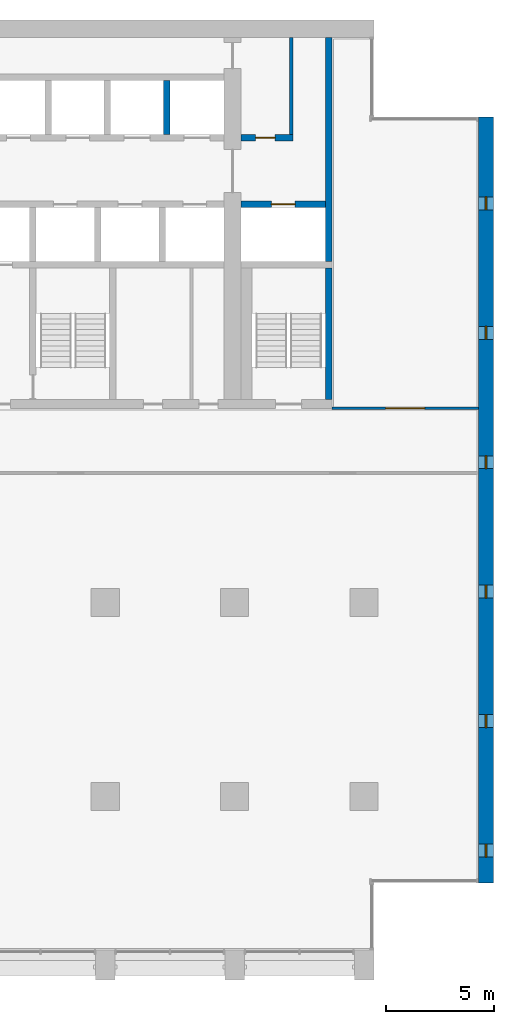
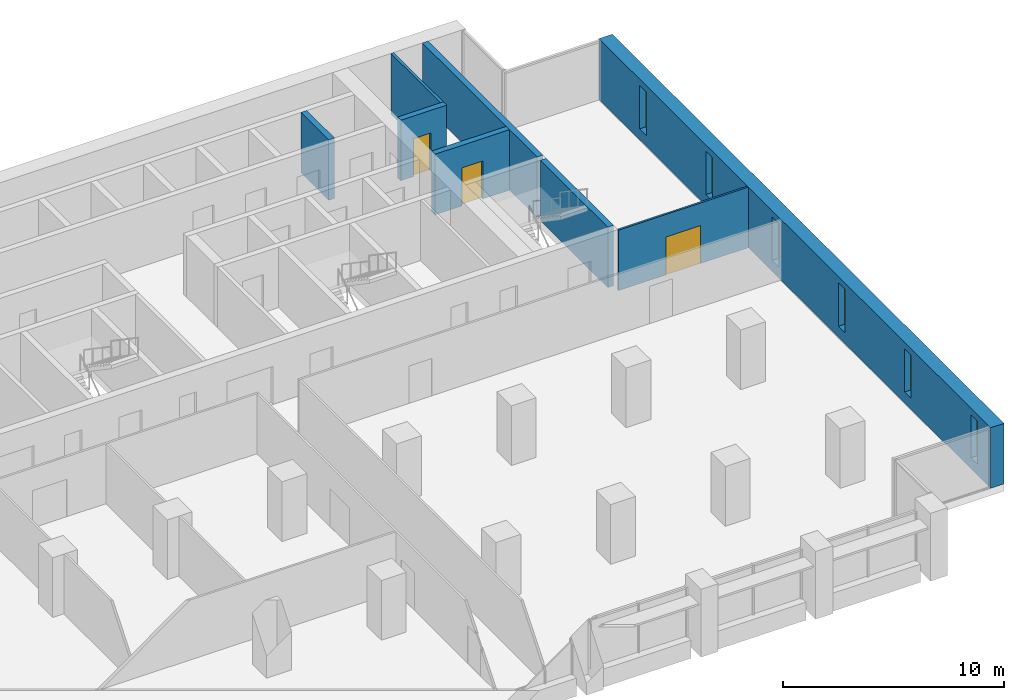
# One storey, part 11 of 15: 8 walls, 6 windows, 3 doors, 9 openings.
"""IFC4 building model written with IfcOpenShell, lengths in metres."""

from ifc_helpers import new_model, si_unit, direction, frame, frame_2d, origin, place, context, subcontext, project, spatial, rectangle, extrude, material, layer, layer_set, type_object, element, fill, save


model = new_model("IFC4")

# Units and contexts
model_context = context("Model", 3, precision=1e-05, world=origin(), true_north=direction((0.0, 1.0)))
body_context = subcontext(model_context, "Body", "Model", "MODEL_VIEW")
ifc_project = project(units=[si_unit("LENGTHUNIT", "METRE"), si_unit("AREAUNIT", "SQUARE_METRE"), si_unit("VOLUMEUNIT", "CUBIC_METRE"), si_unit("PLANEANGLEUNIT", "RADIAN"), si_unit("MASSUNIT", "GRAM", prefix="KILO")], contexts=[model_context])

# Site, building, storey
site_placement = place(None, origin())
site = spatial("IfcSite", under=ifc_project, at=site_placement, CompositionType="ELEMENT")
building_placement = place(site_placement, origin())
building = spatial("IfcBuilding", under=site, at=building_placement, Name="Calvaro Tower", CompositionType="ELEMENT")
storey_placement = place(building_placement, frame((0.0, 0.0, 125.0)))
storey = spatial("IfcBuildingStorey", under=building, at=storey_placement, Name="L31", CompositionType="ELEMENT", Elevation=125.0)

# Wall
ifc_material_1 = material(Name="Blockwork partition", Category="masonry")
ifc_layer_1 = layer(ifc_material_1, 0.14990234375)
ifc_layer_set_1 = layer_set([ifc_layer_1], Name="Blockwork partition")
wall_type_1 = type_object("IfcWallType", Name="Core partition 150 REI 120", PredefinedType="PARTITIONING", material=ifc_layer_set_1)
wall_1_placement = place(storey_placement, frame((62.625, 40.699951171875, 0.0), z_axis=(0.0, 0.0, 1.0), x_axis=(0.0, 1.0, 0.0)))
element("IfcWall", 1, at=wall_1_placement, inside=storey, type_object=wall_type_1, Name="Core partition", PredefinedType="PARTITIONING", context=body_context, shape_type="SweptSolid", body=[
    extrude(rectangle(XDim=4.5, YDim=0.14990234375, at=frame_2d((2.25, 0.0))), origin(), (0.0, 0.0, 1.0), 3.35009765625),
])

# Wall, opening, door
ifc_material_2 = material(Name="Blockwork partition", Category="masonry")
ifc_layer_2 = layer(ifc_material_2, 0.300048828125)
ifc_layer_set_2 = layer_set([ifc_layer_2], Name="Blockwork partition")
wall_type_2 = type_object("IfcWallType", Name="Core partition 300 REI 120", PredefinedType="PARTITIONING", material=ifc_layer_set_2)
wall_2_placement = place(storey_placement, frame((60.300048828125, 40.550048828125, 0.0), z_axis=(0.0, 0.0, 1.0), x_axis=(1.0, 0.0, 0.0)))
wall_2 = element("IfcWall", 2, at=wall_2_placement, inside=storey, type_object=wall_type_2, Name="Core partition", PredefinedType="PARTITIONING", context=body_context, shape_type="SweptSolid", body=[
    extrude(rectangle(XDim=2.39990234375, YDim=0.300048828125, at=frame_2d((1.199951171875, 0.0))), origin(), (0.0, 0.0, 1.0), 3.35009765625),
])
opening_1_placement = place(wall_2_placement, frame((0.675048828125, 0.0, 0.0)))
opening_1 = element("IfcOpeningElement", 3, at=opening_1_placement, cuts=wall_2, Name="Opening RD9E", PredefinedType="OPENING", context=body_context, shape_type="SweptSolid", body=[
    extrude(rectangle(XDim=0.89990234375, YDim=2.10009765625, at=frame_2d((0.449951171875, 1.050048828125))), frame((0.0, 0.159912109375, 0.0), z_axis=(0.0, -1.0, 0.0), x_axis=(1.0, 0.0, 0.0)), (0.0, 0.0, 1.0), 0.320068359375),
])
ifc_material_3 = material(Name="Steel door set", Category="steel")
door_type_1 = type_object("IfcDoorType", Name="Room door 900 FD60", OperationType="SINGLE_SWING_LEFT", PredefinedType="DOOR", material=ifc_material_3)
door_1_placement = place(opening_1_placement, origin())
door_1 = element("IfcDoor", 4, at=door_1_placement, inside=storey, type_object=door_type_1, Name="Room door", OperationType="SINGLE_SWING_LEFT", OverallHeight=2.10009765625, OverallWidth=0.89990234375, PredefinedType="DOOR", context=body_context, shape_type="SweptSolid", body=[
    extrude(rectangle(XDim=0.89990234375, YDim=2.10009765625, at=frame_2d((0.449951171875, 1.050048828125))), frame((0.0, 0.02490234375, 0.0), z_axis=(0.0, -1.0, 0.0), x_axis=(1.0, 0.0, 0.0)), (0.0, 0.0, 1.0), 0.050048828125),
])
fill(opening_1, door_1)

# Walls
ifc_material_4 = material(Name="Concrete C60/75", Category="concrete")
ifc_layer_3 = layer(ifc_material_4, 0.300048828125)
ifc_layer_set_3 = layer_set([ifc_layer_3], Name="Concrete C60/75")
wall_type_3 = type_object("IfcWallType", Name="Core wall C60/75 300", PredefinedType="SHEAR", material=ifc_layer_set_3)
wall_3_placement = place(storey_placement, frame((64.35009765625, 34.800048828125, 0.0), z_axis=(0.0, 0.0, 1.0), x_axis=(0.0, 1.0, 0.0)))
element("IfcWall", 5, at=wall_3_placement, inside=storey, type_object=wall_type_3, Name="Core wall, boundary", PredefinedType="SHEAR", context=body_context, shape_type="SweptSolid", body=[
    extrude(rectangle(XDim=10.39990234375, YDim=0.300048828125, at=frame_2d((5.199951171875, 0.0))), origin(), (0.0, 0.0, 1.0), 3.35009765625),
])
wall_4_placement = place(storey_placement, frame((64.35009765625, 28.39990234375, 0.0), z_axis=(0.0, 0.0, 1.0), x_axis=(0.0, 1.0, 0.0)))
element("IfcWall", 6, at=wall_4_placement, inside=storey, type_object=wall_type_3, Name="Core wall, stair enclosure", PredefinedType="SHEAR", context=body_context, shape_type="SweptSolid", body=[
    extrude(rectangle(XDim=6.10009765625, YDim=0.300048828125, at=frame_2d((3.050048828125, 0.0))), origin(), (0.0, 0.0, 1.0), 3.35009765625),
])

# Wall, opening, door
wall_5_placement = place(storey_placement, frame((60.300048828125, 37.449951171875, 0.0), z_axis=(0.0, 0.0, 1.0), x_axis=(1.0, 0.0, 0.0)))
wall_5 = element("IfcWall", 7, at=wall_5_placement, inside=storey, type_object=wall_type_3, Name="Core wall, lift shaft", PredefinedType="SHEAR", context=body_context, shape_type="SweptSolid", body=[
    extrude(rectangle(XDim=3.89990234375, YDim=0.300048828125, at=frame_2d((1.949951171875, 0.0))), origin(), (0.0, 0.0, 1.0), 3.35009765625),
])
opening_2_placement = place(wall_5_placement, frame((1.39990234375, 0.0, 0.0)))
opening_2 = element("IfcOpeningElement", 8, at=opening_2_placement, cuts=wall_5, Name="Opening FF3", PredefinedType="OPENING", context=body_context, shape_type="SweptSolid", body=[
    extrude(rectangle(XDim=1.10009765625, YDim=2.10009765625, at=frame_2d((0.550048828125, 1.050048828125))), frame((0.0, 0.159912109375, 0.0), z_axis=(0.0, -1.0, 0.0), x_axis=(1.0, 0.0, 0.0)), (0.0, 0.0, 1.0), 0.320068359375),
])
ifc_material_5 = material(Name="Stainless steel", Category="steel")
door_type_2 = type_object("IfcDoorType", Name="Landing door 1100 E 60", OperationType="SLIDING_TO_LEFT", PredefinedType="DOOR", material=ifc_material_5)
door_2_placement = place(opening_2_placement, origin())
door_2 = element("IfcDoor", 9, at=door_2_placement, inside=storey, type_object=door_type_2, Name="Landing door FF3", OperationType="SLIDING_TO_LEFT", OverallHeight=2.10009765625, OverallWidth=1.10009765625, PredefinedType="DOOR", context=body_context, shape_type="SweptSolid", body=[
    extrude(rectangle(XDim=1.10009765625, YDim=2.10009765625, at=frame_2d((0.550048828125, 1.050048828125))), frame((0.0, 0.02490234375, 0.0), z_axis=(0.0, -1.0, 0.0), x_axis=(1.0, 0.0, 0.0)), (0.0, 0.0, 1.0), 0.050048828125),
])
fill(opening_2, door_2)

# Wall
wall_6_placement = place(storey_placement, frame((56.85009765625, 40.699951171875, 0.0), z_axis=(0.0, 0.0, 1.0), x_axis=(0.0, 1.0, 0.0)))
element("IfcWall", 10, at=wall_6_placement, inside=storey, type_object=wall_type_3, Name="Core wall, lift shaft", PredefinedType="SHEAR", context=body_context, shape_type="SweptSolid", body=[
    extrude(rectangle(XDim=2.5, YDim=0.300048828125, at=frame_2d((1.25, 0.0))), origin(), (0.0, 0.0, 1.0), 3.35009765625),
])

# Wall, openings, windows
ifc_material_6 = material(Name="Concrete C60/75", Category="concrete")
ifc_layer_4 = layer(ifc_material_6, 0.699951171875)
ifc_layer_set_4 = layer_set([ifc_layer_4], Name="Concrete C60/75")
wall_type_4 = type_object("IfcWallType", Name="End wall 700 C60/75", PredefinedType="SHEAR", material=ifc_layer_set_4)
wall_7_placement = place(storey_placement, frame((71.64990234375, 6.0, 0.0), z_axis=(0.0, 0.0, 1.0), x_axis=(0.0, 1.0, 0.0)))
wall_7 = element("IfcWall", 11, at=wall_7_placement, inside=storey, type_object=wall_type_4, Name="End shear wall", PredefinedType="SHEAR", context=body_context, shape_type="SweptSolid", body=[
    extrude(rectangle(XDim=35.5, YDim=0.699951171875, at=frame_2d((17.75, 0.0))), origin(), (0.0, 0.0, 1.0), 3.35009765625),
])
opening_3_placement = place(wall_7_placement, frame((1.199951171875, 0.0, 0.60009765625)))
opening_3 = element("IfcOpeningElement", 12, at=opening_3_placement, cuts=wall_7, Name="Opening WE01", PredefinedType="OPENING", context=body_context, shape_type="SweptSolid", body=[
    extrude(rectangle(XDim=0.60009765625, YDim=2.39990234375, at=frame_2d((0.300048828125, 1.199951171875))), frame((0.0, 0.35986328125, 0.0), z_axis=(0.0, -1.0, 0.0), x_axis=(1.0, 0.0, 0.0)), (0.0, 0.0, 1.0), 0.719970703125),
])
opening_4_placement = place(wall_7_placement, frame((7.199951171875, 0.0, 0.60009765625)))
opening_4 = element("IfcOpeningElement", 13, at=opening_4_placement, cuts=wall_7, Name="Opening WE02", PredefinedType="OPENING", context=body_context, shape_type="SweptSolid", body=[
    extrude(rectangle(XDim=0.60009765625, YDim=2.39990234375, at=frame_2d((0.300048828125, 1.199951171875))), frame((0.0, 0.35986328125, 0.0), z_axis=(0.0, -1.0, 0.0), x_axis=(1.0, 0.0, 0.0)), (0.0, 0.0, 1.0), 0.719970703125),
])
opening_5_placement = place(wall_7_placement, frame((13.199951171875, 0.0, 0.60009765625)))
opening_5 = element("IfcOpeningElement", 14, at=opening_5_placement, cuts=wall_7, Name="Opening WE03", PredefinedType="OPENING", context=body_context, shape_type="SweptSolid", body=[
    extrude(rectangle(XDim=0.60009765625, YDim=2.39990234375, at=frame_2d((0.300048828125, 1.199951171875))), frame((0.0, 0.35986328125, 0.0), z_axis=(0.0, -1.0, 0.0), x_axis=(1.0, 0.0, 0.0)), (0.0, 0.0, 1.0), 0.719970703125),
])
opening_6_placement = place(wall_7_placement, frame((19.199951171875, 0.0, 0.60009765625)))
opening_6 = element("IfcOpeningElement", 15, at=opening_6_placement, cuts=wall_7, Name="Opening WE04", PredefinedType="OPENING", context=body_context, shape_type="SweptSolid", body=[
    extrude(rectangle(XDim=0.60009765625, YDim=2.39990234375, at=frame_2d((0.300048828125, 1.199951171875))), frame((0.0, 0.35986328125, 0.0), z_axis=(0.0, -1.0, 0.0), x_axis=(1.0, 0.0, 0.0)), (0.0, 0.0, 1.0), 0.719970703125),
])
opening_7_placement = place(wall_7_placement, frame((25.199951171875, 0.0, 0.60009765625)))
opening_7 = element("IfcOpeningElement", 16, at=opening_7_placement, cuts=wall_7, Name="Opening WE05", PredefinedType="OPENING", context=body_context, shape_type="SweptSolid", body=[
    extrude(rectangle(XDim=0.60009765625, YDim=2.39990234375, at=frame_2d((0.300048828125, 1.199951171875))), frame((0.0, 0.35986328125, 0.0), z_axis=(0.0, -1.0, 0.0), x_axis=(1.0, 0.0, 0.0)), (0.0, 0.0, 1.0), 0.719970703125),
])
opening_8_placement = place(wall_7_placement, frame((31.199951171875, 0.0, 0.60009765625)))
opening_8 = element("IfcOpeningElement", 17, at=opening_8_placement, cuts=wall_7, Name="Opening WE06", PredefinedType="OPENING", context=body_context, shape_type="SweptSolid", body=[
    extrude(rectangle(XDim=0.60009765625, YDim=2.39990234375, at=frame_2d((0.300048828125, 1.199951171875))), frame((0.0, 0.35986328125, 0.0), z_axis=(0.0, -1.0, 0.0), x_axis=(1.0, 0.0, 0.0)), (0.0, 0.0, 1.0), 0.719970703125),
])
ifc_material_7 = material(Name="Glass", Category="glass")
window_type = type_object("IfcWindowType", Name="Slit window 600 x 2400", PartitioningType="SINGLE_PANEL", PredefinedType="WINDOW", material=ifc_material_7)
window_1_placement = place(opening_3_placement, origin())
window_1 = element("IfcWindow", 18, at=window_1_placement, inside=storey, type_object=window_type, Name="Window WE01", OverallHeight=2.39990234375, OverallWidth=0.60009765625, PartitioningType="SINGLE_PANEL", PredefinedType="WINDOW", context=body_context, shape_type="SweptSolid", body=[
    extrude(rectangle(XDim=0.60009765625, YDim=2.39990234375, at=frame_2d((0.300048828125, 1.199951171875))), frame((0.0, 0.030029296875, 0.0), z_axis=(0.0, -1.0, 0.0), x_axis=(1.0, 0.0, 0.0)), (0.0, 0.0, 1.0), 0.06005859375),
])
fill(opening_3, window_1)
window_2_placement = place(opening_4_placement, origin())
window_2 = element("IfcWindow", 19, at=window_2_placement, inside=storey, type_object=window_type, Name="Window WE02", OverallHeight=2.39990234375, OverallWidth=0.60009765625, PartitioningType="SINGLE_PANEL", PredefinedType="WINDOW", context=body_context, shape_type="SweptSolid", body=[
    extrude(rectangle(XDim=0.60009765625, YDim=2.39990234375, at=frame_2d((0.300048828125, 1.199951171875))), frame((0.0, 0.030029296875, 0.0), z_axis=(0.0, -1.0, 0.0), x_axis=(1.0, 0.0, 0.0)), (0.0, 0.0, 1.0), 0.06005859375),
])
fill(opening_4, window_2)
window_3_placement = place(opening_5_placement, origin())
window_3 = element("IfcWindow", 20, at=window_3_placement, inside=storey, type_object=window_type, Name="Window WE03", OverallHeight=2.39990234375, OverallWidth=0.60009765625, PartitioningType="SINGLE_PANEL", PredefinedType="WINDOW", context=body_context, shape_type="SweptSolid", body=[
    extrude(rectangle(XDim=0.60009765625, YDim=2.39990234375, at=frame_2d((0.300048828125, 1.199951171875))), frame((0.0, 0.030029296875, 0.0), z_axis=(0.0, -1.0, 0.0), x_axis=(1.0, 0.0, 0.0)), (0.0, 0.0, 1.0), 0.06005859375),
])
fill(opening_5, window_3)
window_4_placement = place(opening_6_placement, origin())
window_4 = element("IfcWindow", 21, at=window_4_placement, inside=storey, type_object=window_type, Name="Window WE04", OverallHeight=2.39990234375, OverallWidth=0.60009765625, PartitioningType="SINGLE_PANEL", PredefinedType="WINDOW", context=body_context, shape_type="SweptSolid", body=[
    extrude(rectangle(XDim=0.60009765625, YDim=2.39990234375, at=frame_2d((0.300048828125, 1.199951171875))), frame((0.0, 0.030029296875, 0.0), z_axis=(0.0, -1.0, 0.0), x_axis=(1.0, 0.0, 0.0)), (0.0, 0.0, 1.0), 0.06005859375),
])
fill(opening_6, window_4)
window_5_placement = place(opening_7_placement, origin())
window_5 = element("IfcWindow", 22, at=window_5_placement, inside=storey, type_object=window_type, Name="Window WE05", OverallHeight=2.39990234375, OverallWidth=0.60009765625, PartitioningType="SINGLE_PANEL", PredefinedType="WINDOW", context=body_context, shape_type="SweptSolid", body=[
    extrude(rectangle(XDim=0.60009765625, YDim=2.39990234375, at=frame_2d((0.300048828125, 1.199951171875))), frame((0.0, 0.030029296875, 0.0), z_axis=(0.0, -1.0, 0.0), x_axis=(1.0, 0.0, 0.0)), (0.0, 0.0, 1.0), 0.06005859375),
])
fill(opening_7, window_5)
window_6_placement = place(opening_8_placement, origin())
window_6 = element("IfcWindow", 23, at=window_6_placement, inside=storey, type_object=window_type, Name="Window WE06", OverallHeight=2.39990234375, OverallWidth=0.60009765625, PartitioningType="SINGLE_PANEL", PredefinedType="WINDOW", context=body_context, shape_type="SweptSolid", body=[
    extrude(rectangle(XDim=0.60009765625, YDim=2.39990234375, at=frame_2d((0.300048828125, 1.199951171875))), frame((0.0, 0.030029296875, 0.0), z_axis=(0.0, -1.0, 0.0), x_axis=(1.0, 0.0, 0.0)), (0.0, 0.0, 1.0), 0.06005859375),
])
fill(opening_8, window_6)

# Wall, opening, door
ifc_material_8 = material(Name="Plasterboard on steel studs", Category="steel")
ifc_layer_5 = layer(ifc_material_8, 0.10009765625)
ifc_layer_set_5 = layer_set([ifc_layer_5], Name="Plasterboard on steel studs")
wall_type_5 = type_object("IfcWallType", Name="Partition 100", PredefinedType="PARTITIONING", material=ifc_layer_set_5)
wall_8_placement = place(storey_placement, frame((64.5, 28.0, 0.0), z_axis=(0.0, 0.0, 1.0), x_axis=(1.0, 0.0, 0.0)))
wall_8 = element("IfcWall", 24, at=wall_8_placement, inside=storey, type_object=wall_type_5, Name="Partition T19.W008", PredefinedType="PARTITIONING", context=body_context, shape_type="SweptSolid", body=[
    extrude(rectangle(XDim=6.800048828125, YDim=0.10009765625, at=frame_2d((3.39990234375, 0.0))), origin(), (0.0, 0.0, 1.0), 3.35009765625),
])
opening_9_placement = place(wall_8_placement, frame((2.5, 0.0, 0.0)))
opening_9 = element("IfcOpeningElement", 25, at=opening_9_placement, cuts=wall_8, Name="Opening T19.013", PredefinedType="OPENING", context=body_context, shape_type="SweptSolid", body=[
    extrude(rectangle(XDim=1.800048828125, YDim=2.10009765625, at=frame_2d((0.89990234375, 1.050048828125))), frame((0.0, 0.06005859375, 0.0), z_axis=(0.0, -1.0, 0.0), x_axis=(1.0, 0.0, 0.0)), (0.0, 0.0, 1.0), 0.1201171875),
])
ifc_material_9 = material(Name="Timber", Category="wood")
door_type_3 = type_object("IfcDoorType", Name="Internal double door 1800 x 2100", OperationType="DOUBLE_DOOR_SINGLE_SWING", PredefinedType="DOOR", material=ifc_material_9)
door_3_placement = place(opening_9_placement, origin())
door_3 = element("IfcDoor", 26, at=door_3_placement, inside=storey, type_object=door_type_3, Name="Door T19.013", OperationType="DOUBLE_DOOR_SINGLE_SWING", OverallHeight=2.10009765625, OverallWidth=1.800048828125, PredefinedType="DOOR", context=body_context, shape_type="SweptSolid", body=[
    extrude(rectangle(XDim=1.800048828125, YDim=2.10009765625, at=frame_2d((0.89990234375, 1.050048828125))), frame((0.0, 0.02490234375, 0.0), z_axis=(0.0, -1.0, 0.0), x_axis=(1.0, 0.0, 0.0)), (0.0, 0.0, 1.0), 0.050048828125),
])
fill(opening_9, door_3)

save(model, "model.ifc")
